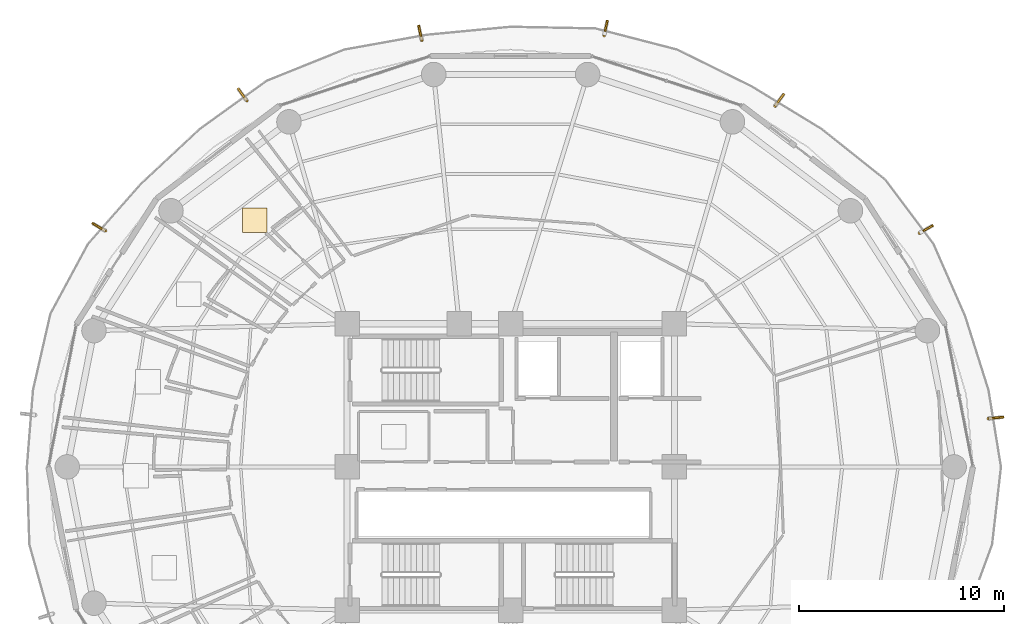
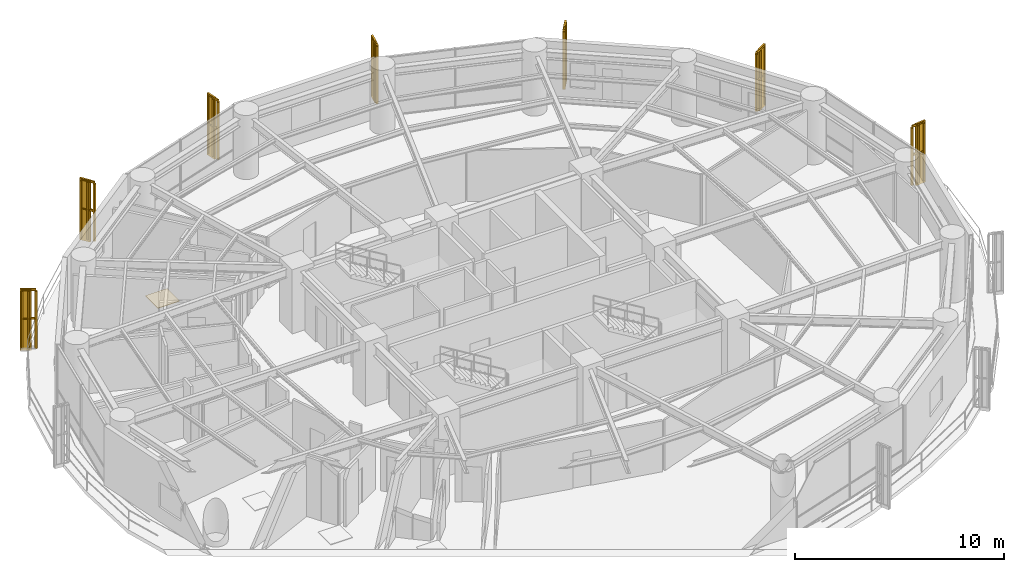
# One storey, part 28 of 28: 7 railings, 7 shading devices, 1 covering.
"""IFC4 building model written with IfcOpenShell, lengths in metres."""

from ifc_helpers import new_model, si_unit, direction, frame, origin, origin_2d, place, context, subcontext, project, spatial, polyline, rectangle, outline, extrude, source, transform, mapped, material, layer, layer_set, type_object, element, save


model = new_model("IFC4")

# Units and contexts
model_context = context("Model", 3, precision=1e-05, world=origin(), true_north=direction((0.0, 1.0)))
body_context = subcontext(model_context, "Body", "Model", "MODEL_VIEW")
ifc_project = project(units=[si_unit("LENGTHUNIT", "METRE"), si_unit("AREAUNIT", "SQUARE_METRE"), si_unit("VOLUMEUNIT", "CUBIC_METRE"), si_unit("PLANEANGLEUNIT", "RADIAN"), si_unit("MASSUNIT", "GRAM", prefix="KILO")], contexts=[model_context])

# Site, building, storey
site_placement = place(None, origin())
site = spatial("IfcSite", under=ifc_project, at=site_placement, CompositionType="ELEMENT")
building_placement = place(site_placement, origin())
building = spatial("IfcBuilding", under=site, at=building_placement, Name="Kelanora Arch Commons", CompositionType="ELEMENT")
storey_placement = place(building_placement, frame((0.0, 0.0, 176.85009765625)))
storey = spatial("IfcBuildingStorey", under=building, at=storey_placement, Name="L45", CompositionType="ELEMENT", Elevation=176.85009765625)

# Railings
ifc_material_1 = material(Name="Anodised bronze vertical shading fin rib assembly")
railing_type = type_object("IfcRailingType", Name="RAIL-FIN-BRZ", PredefinedType="BALUSTRADE", material=ifc_material_1)
railing_1_placement = place(storey_placement, frame((97.359375, 60.36328125, -0.02001953125)))
element("IfcRailing", 1, at=railing_1_placement, inside=storey, type_object=railing_type, Name="Sweeping Bronze Vertical Fin Blade L45-01", PredefinedType="BALUSTRADE", context=body_context, shape_type="SweptSolid", body=[
    extrude(outline(polyline([(0.06982421875, 0.0), (0.034912109375, 0.060546875), (-0.034912109375, 0.060546875), (-0.06982421875, 0.0), (-0.034912109375, -0.060546875), (0.034912109375, -0.060546875), (0.06982421875, 0.0)])), frame((0.0, 0.0, 3.419921875), z_axis=(0.994932804734, 0.100542100951, 0.0), x_axis=(-0.100542100951, 0.994932804734, 0.0)), (0.0, 0.0, 1.0), 0.675048828125),
    extrude(outline(polyline([(0.06982421875, 0.0), (0.034912109375, 0.060546875), (-0.034912109375, 0.060546875), (-0.06982421875, 0.0), (-0.034912109375, -0.060546875), (0.034912109375, -0.060546875), (0.06982421875, 0.0)])), frame((0.0, 0.0, 1.7451171875), z_axis=(0.994932804734, 0.100542100951, 0.0), x_axis=(-0.100542100951, 0.994932804734, 0.0)), (0.0, 0.0, 1.0), 0.675048828125),
    extrude(outline(polyline([(0.080078125, 0.0), (0.0400390625, 0.0693359375), (-0.0400390625, 0.0693359375), (-0.080078125, 0.0), (-0.0400390625, -0.0693359375), (0.0400390625, -0.0693359375), (0.080078125, 0.0)])), origin(), (0.0, 0.0, 1.0), 3.35009765625),
    extrude(outline(polyline([(0.080078125, 0.0), (0.0400390625, 0.0693359375), (-0.0400390625, 0.0693359375), (-0.080078125, 0.0), (-0.0400390625, -0.0693359375), (0.0400390625, -0.0693359375), (0.080078125, 0.0)])), frame((0.3359375, 0.033935546875, 0.0)), (0.0, 0.0, 1.0), 3.35009765625),
    extrude(outline(polyline([(0.080078125, 0.0), (0.0400390625, 0.0693359375), (-0.0400390625, 0.0693359375), (-0.080078125, 0.0), (-0.0400390625, -0.0693359375), (0.0400390625, -0.0693359375), (0.080078125, 0.0)])), frame((0.671630859375, 0.06787109375, 0.0)), (0.0, 0.0, 1.0), 3.35009765625),
])
railing_2_placement = place(storey_placement, frame((93.991455078125, 69.438720703125, -0.02001953125)))
element("IfcRailing", 2, at=railing_2_placement, inside=storey, type_object=railing_type, Name="Sweeping Bronze Vertical Fin Blade L45-02", PredefinedType="BALUSTRADE", context=body_context, shape_type="SweptSolid", body=[
    extrude(outline(polyline([(0.06982421875, 0.0), (0.034912109375, 0.060546875), (-0.034912109375, 0.060546875), (-0.06982421875, 0.0), (-0.034912109375, -0.060546875), (0.034912109375, -0.060546875), (0.06982421875, 0.0)])), frame((0.0, 0.0, 3.419921875), z_axis=(0.868154086697, 0.496294752895, 0.0), x_axis=(-0.496294752895, 0.868154086697, 0.0)), (0.0, 0.0, 1.0), 0.6748046875),
    extrude(outline(polyline([(0.06982421875, 0.0), (0.034912109375, 0.060546875), (-0.034912109375, 0.060546875), (-0.06982421875, 0.0), (-0.034912109375, -0.060546875), (0.034912109375, -0.060546875), (0.06982421875, 0.0)])), frame((0.0, 0.0, 1.7451171875), z_axis=(0.868154086697, 0.496294752895, 0.0), x_axis=(-0.496294752895, 0.868154086697, 0.0)), (0.0, 0.0, 1.0), 0.6748046875),
    extrude(outline(polyline([(0.080078125, 0.0), (0.0400390625, 0.0693359375), (-0.0400390625, 0.0693359375), (-0.080078125, 0.0), (-0.0400390625, -0.0693359375), (0.0400390625, -0.0693359375), (0.080078125, 0.0)])), origin(), (0.0, 0.0, 1.0), 3.35009765625),
    extrude(outline(polyline([(0.080078125, 0.0), (0.0400390625, 0.0693359375), (-0.0400390625, 0.0693359375), (-0.080078125, 0.0), (-0.0400390625, -0.0693359375), (0.0400390625, -0.0693359375), (0.080078125, 0.0)])), frame((0.29296875, 0.16748046875, 0.0)), (0.0, 0.0, 1.0), 3.35009765625),
    extrude(outline(polyline([(0.080078125, 0.0), (0.0400390625, 0.0693359375), (-0.0400390625, 0.0693359375), (-0.080078125, 0.0), (-0.0400390625, -0.0693359375), (0.0400390625, -0.0693359375), (0.080078125, 0.0)])), frame((0.5859375, 0.3349609375, 0.0)), (0.0, 0.0, 1.0), 3.35009765625),
])
railing_3_placement = place(storey_placement, frame((86.92822265625, 75.6494140625, -0.02001953125)))
element("IfcRailing", 3, at=railing_3_placement, inside=storey, type_object=railing_type, Name="Sweeping Bronze Vertical Fin Blade L45-03", PredefinedType="BALUSTRADE", context=body_context, shape_type="SweptSolid", body=[
    extrude(outline(polyline([(0.06982421875, 0.0), (0.034912109375, 0.060546875), (-0.034912109375, 0.060546875), (-0.06982421875, 0.0), (-0.034912109375, -0.060546875), (0.034912109375, -0.060546875), (0.06982421875, 0.0)])), frame((0.0, 0.0, 3.419921875), z_axis=(0.590877571861, 0.806761237958, 0.0), x_axis=(-0.806761237958, 0.590877571861, 0.0)), (0.0, 0.0, 1.0), 0.675048828125),
    extrude(outline(polyline([(0.06982421875, 0.0), (0.034912109375, 0.060546875), (-0.034912109375, 0.060546875), (-0.06982421875, 0.0), (-0.034912109375, -0.060546875), (0.034912109375, -0.060546875), (0.06982421875, 0.0)])), frame((0.0, 0.0, 1.7451171875), z_axis=(0.590877571861, 0.806761237958, 0.0), x_axis=(-0.806761237958, 0.590877571861, 0.0)), (0.0, 0.0, 1.0), 0.675048828125),
    extrude(outline(polyline([(0.080078125, 0.0), (0.0400390625, 0.0693359375), (-0.0400390625, 0.0693359375), (-0.080078125, 0.0), (-0.0400390625, -0.0693359375), (0.0400390625, -0.0693359375), (0.080078125, 0.0)])), origin(), (0.0, 0.0, 1.0), 3.35009765625),
    extrude(outline(polyline([(0.080078125, 0.0), (0.0400390625, 0.0693359375), (-0.0400390625, 0.0693359375), (-0.080078125, 0.0), (-0.0400390625, -0.0693359375), (0.0400390625, -0.0693359375), (0.080078125, 0.0)])), frame((0.199462890625, 0.2724609375, 0.0)), (0.0, 0.0, 1.0), 3.35009765625),
    extrude(outline(polyline([(0.080078125, 0.0), (0.0400390625, 0.0693359375), (-0.0400390625, 0.0693359375), (-0.080078125, 0.0), (-0.0400390625, -0.0693359375), (0.0400390625, -0.0693359375), (0.080078125, 0.0)])), frame((0.39892578125, 0.544677734375, 0.0)), (0.0, 0.0, 1.0), 3.35009765625),
])
railing_4_placement = place(storey_placement, frame((78.57080078125, 79.099853515625, -0.02001953125)))
element("IfcRailing", 4, at=railing_4_placement, inside=storey, type_object=railing_type, Name="Sweeping Bronze Vertical Fin Blade L45-04", PredefinedType="BALUSTRADE", context=body_context, shape_type="SweptSolid", body=[
    extrude(outline(polyline([(0.06982421875, 0.0), (0.034912109375, 0.060546875), (-0.034912109375, 0.060546875), (-0.06982421875, 0.0), (-0.034912109375, -0.060546875), (0.034912109375, -0.060546875), (0.06982421875, 0.0)])), frame((0.0, 0.0, 3.419921875), z_axis=(0.211603629386, 0.977355566839, 0.0), x_axis=(-0.977355566839, 0.211603629386, 0.0)), (0.0, 0.0, 1.0), 0.675048828125),
    extrude(outline(polyline([(0.06982421875, 0.0), (0.034912109375, 0.060546875), (-0.034912109375, 0.060546875), (-0.06982421875, 0.0), (-0.034912109375, -0.060546875), (0.034912109375, -0.060546875), (0.06982421875, 0.0)])), frame((0.0, 0.0, 1.7451171875), z_axis=(0.211603629386, 0.977355566839, 0.0), x_axis=(-0.977355566839, 0.211603629386, 0.0)), (0.0, 0.0, 1.0), 0.675048828125),
    extrude(outline(polyline([(0.080078125, 0.0), (0.0400390625, 0.0693359375), (-0.0400390625, 0.0693359375), (-0.080078125, 0.0), (-0.0400390625, -0.0693359375), (0.0400390625, -0.0693359375), (0.080078125, 0.0)])), origin(), (0.0, 0.0, 1.0), 3.35009765625),
    extrude(outline(polyline([(0.080078125, 0.0), (0.0400390625, 0.0693359375), (-0.0400390625, 0.0693359375), (-0.080078125, 0.0), (-0.0400390625, -0.0693359375), (0.0400390625, -0.0693359375), (0.080078125, 0.0)])), frame((0.0712890625, 0.329833984375, 0.0)), (0.0, 0.0, 1.0), 3.35009765625),
    extrude(outline(polyline([(0.080078125, 0.0), (0.0400390625, 0.0693359375), (-0.0400390625, 0.0693359375), (-0.080078125, 0.0), (-0.0400390625, -0.0693359375), (0.0400390625, -0.0693359375), (0.080078125, 0.0)])), frame((0.142822265625, 0.65966796875, 0.0)), (0.0, 0.0, 1.0), 3.35009765625),
])
railing_5_placement = place(storey_placement, frame((69.650634765625, 78.86083984375, -0.02001953125)))
element("IfcRailing", 5, at=railing_5_placement, inside=storey, type_object=railing_type, Name="Sweeping Bronze Vertical Fin Blade L45-05", PredefinedType="BALUSTRADE", context=body_context, shape_type="SweptSolid", body=[
    extrude(outline(polyline([(0.06982421875, 0.0), (0.034912109375, 0.060546875), (-0.034912109375, 0.060546875), (-0.06982421875, 0.0), (-0.034912109375, -0.060546875), (0.034912109375, -0.060546875), (0.06982421875, 0.0)])), frame((0.0, 0.0, 3.419921875), z_axis=(-0.203968695885, 0.978977410924, 0.0), x_axis=(-0.978977410924, -0.203968695885, 0.0)), (0.0, 0.0, 1.0), 0.675048828125),
    extrude(outline(polyline([(0.06982421875, 0.0), (0.034912109375, 0.060546875), (-0.034912109375, 0.060546875), (-0.06982421875, 0.0), (-0.034912109375, -0.060546875), (0.034912109375, -0.060546875), (0.06982421875, 0.0)])), frame((0.0, 0.0, 1.7451171875), z_axis=(-0.203968695885, 0.978977410924, 0.0), x_axis=(-0.978977410924, -0.203968695885, 0.0)), (0.0, 0.0, 1.0), 0.675048828125),
    extrude(outline(polyline([(0.080078125, 0.0), (0.0400390625, 0.0693359375), (-0.0400390625, 0.0693359375), (-0.080078125, 0.0), (-0.0400390625, -0.0693359375), (0.0400390625, -0.0693359375), (0.080078125, 0.0)])), origin(), (0.0, 0.0, 1.0), 3.35009765625),
    extrude(outline(polyline([(0.080078125, 0.0), (0.0400390625, 0.0693359375), (-0.0400390625, 0.0693359375), (-0.080078125, 0.0), (-0.0400390625, -0.0693359375), (0.0400390625, -0.0693359375), (0.080078125, 0.0)])), frame((-0.06884765625, 0.33056640625, 0.0)), (0.0, 0.0, 1.0), 3.35009765625),
    extrude(outline(polyline([(0.080078125, 0.0), (0.0400390625, 0.0693359375), (-0.0400390625, 0.0693359375), (-0.080078125, 0.0), (-0.0400390625, -0.0693359375), (0.0400390625, -0.0693359375), (0.080078125, 0.0)])), frame((-0.1376953125, 0.660888671875, 0.0)), (0.0, 0.0, 1.0), 3.35009765625),
])
railing_6_placement = place(storey_placement, frame((61.0966796875, 75.90576171875, -0.02001953125)))
element("IfcRailing", 6, at=railing_6_placement, inside=storey, type_object=railing_type, Name="Sweeping Bronze Vertical Fin Blade L45-06", PredefinedType="BALUSTRADE", context=body_context, shape_type="SweptSolid", body=[
    extrude(outline(polyline([(0.06982421875, 0.0), (0.034912109375, 0.060546875), (-0.034912109375, 0.060546875), (-0.06982421875, 0.0), (-0.034912109375, -0.060546875), (0.034912109375, -0.060546875), (0.06982421875, 0.0)])), frame((0.0, 0.0, 3.419921875), z_axis=(-0.584552457523, 0.811355917218, 0.0), x_axis=(-0.811355917218, -0.584552457523, 0.0)), (0.0, 0.0, 1.0), 0.675048828125),
    extrude(outline(polyline([(0.06982421875, 0.0), (0.034912109375, 0.060546875), (-0.034912109375, 0.060546875), (-0.06982421875, 0.0), (-0.034912109375, -0.060546875), (0.034912109375, -0.060546875), (0.06982421875, 0.0)])), frame((0.0, 0.0, 1.7451171875), z_axis=(-0.584552457523, 0.811355917218, 0.0), x_axis=(-0.811355917218, -0.584552457523, 0.0)), (0.0, 0.0, 1.0), 0.675048828125),
    extrude(outline(polyline([(0.080078125, 0.0), (0.0400390625, 0.0693359375), (-0.0400390625, 0.0693359375), (-0.080078125, 0.0), (-0.0400390625, -0.0693359375), (0.0400390625, -0.0693359375), (0.080078125, 0.0)])), origin(), (0.0, 0.0, 1.0), 3.35009765625),
    extrude(outline(polyline([(0.080078125, 0.0), (0.0400390625, 0.0693359375), (-0.0400390625, 0.0693359375), (-0.080078125, 0.0), (-0.0400390625, -0.0693359375), (0.0400390625, -0.0693359375), (0.080078125, 0.0)])), frame((-0.197265625, 0.27392578125, 0.0)), (0.0, 0.0, 1.0), 3.35009765625),
    extrude(outline(polyline([(0.080078125, 0.0), (0.0400390625, 0.0693359375), (-0.0400390625, 0.0693359375), (-0.080078125, 0.0), (-0.0400390625, -0.0693359375), (0.0400390625, -0.0693359375), (0.080078125, 0.0)])), frame((-0.39453125, 0.547607421875, 0.0)), (0.0, 0.0, 1.0), 3.35009765625),
])
railing_7_placement = place(storey_placement, frame((54.185791015625, 69.542724609375, -0.02001953125)))
element("IfcRailing", 7, at=railing_7_placement, inside=storey, type_object=railing_type, Name="Sweeping Bronze Vertical Fin Blade L45-07", PredefinedType="BALUSTRADE", context=body_context, shape_type="SweptSolid", body=[
    extrude(outline(polyline([(0.06982421875, 0.0), (0.034912109375, 0.060546875), (-0.034912109375, 0.060546875), (-0.06982421875, 0.0), (-0.034912109375, -0.060546875), (0.034912109375, -0.060546875), (0.06982421875, 0.0)])), frame((0.0, 0.0, 3.419921875), z_axis=(-0.86393631841, 0.503601070028, 0.0), x_axis=(-0.503601070028, -0.86393631841, 0.0)), (0.0, 0.0, 1.0), 0.6748046875),
    extrude(outline(polyline([(0.06982421875, 0.0), (0.034912109375, 0.060546875), (-0.034912109375, 0.060546875), (-0.06982421875, 0.0), (-0.034912109375, -0.060546875), (0.034912109375, -0.060546875), (0.06982421875, 0.0)])), frame((0.0, 0.0, 1.7451171875), z_axis=(-0.86393631841, 0.503601070028, 0.0), x_axis=(-0.503601070028, -0.86393631841, 0.0)), (0.0, 0.0, 1.0), 0.6748046875),
    extrude(outline(polyline([(0.080078125, 0.0), (0.0400390625, 0.0693359375), (-0.0400390625, 0.0693359375), (-0.080078125, 0.0), (-0.0400390625, -0.0693359375), (0.0400390625, -0.0693359375), (0.080078125, 0.0)])), origin(), (0.0, 0.0, 1.0), 3.35009765625),
    extrude(outline(polyline([(0.080078125, 0.0), (0.0400390625, 0.0693359375), (-0.0400390625, 0.0693359375), (-0.080078125, 0.0), (-0.0400390625, -0.0693359375), (0.0400390625, -0.0693359375), (0.080078125, 0.0)])), frame((-0.29150390625, 0.169921875, 0.0)), (0.0, 0.0, 1.0), 3.35009765625),
    extrude(outline(polyline([(0.080078125, 0.0), (0.0400390625, 0.0693359375), (-0.0400390625, 0.0693359375), (-0.080078125, 0.0), (-0.0400390625, -0.0693359375), (0.0400390625, -0.0693359375), (0.080078125, 0.0)])), frame((-0.5830078125, 0.33984375, 0.0)), (0.0, 0.0, 1.0), 3.35009765625),
])

# Shading devices
ifc_material_2 = material(Name="Terracotta ceramic-clad extruded aluminium fin", Category="masonry")
shading_device_type = type_object("IfcShadingDeviceType", Name="SHD-FIN-WAIST", PredefinedType="USERDEFINED", material=ifc_material_2)
shared_shape_1 = source(origin(), body_context, "Body", "SweptSolid", [
    extrude(rectangle(XDim=0.56005859375, YDim=0.090087890625, at=origin_2d()), origin(), (0.0, 0.0, 1.0), 3.610107421875),
])
for number, where, z_axis, x_axis, name in (
    (8, (97.83447265625, 60.411376953125, -0.14013671875), (0.0, 0.0, 1.0), (0.994915923519, 0.100709012153, 0.0), "Sweeping Terracotta Fin L45-01"),
    (9, (94.406005859375, 69.67578125, -0.14013671875), (0.0, 0.0, 1.0), (0.867938877136, 0.49667102347, 0.0), "Sweeping Terracotta Fin L45-02"),
    (10, (87.21044921875, 76.03466796875, -0.14013671875), (0.0, 0.0, 1.0), (0.59088731392, 0.806754102716, 0.0), "Sweeping Terracotta Fin L45-03"),
    (11, (78.671875, 79.56640625, -0.14013671875), (0.0, 0.0, 1.0), (0.211665966084, 0.97734206847, 0.0), "Sweeping Terracotta Fin L45-04"),
    (12, (69.55322265625, 79.328369140625, -0.14013671875), (0.0, 0.0, 1.0), (-0.204154350213, 0.978938711712, 0.0), "Sweeping Terracotta Fin L45-05"),
    (13, (60.817626953125, 76.293212890625, -0.14013671875), (0.0, 0.0, 1.0), (-0.584674524674, 0.811267958321, 0.0), "Sweeping Terracotta Fin L45-06"),
    (14, (53.773193359375, 69.783203125, -0.14013671875), (0.0, 0.0, 1.0), (-0.864099162217, 0.503321604797, 0.0), "Sweeping Terracotta Fin L45-07"),
):
    element("IfcShadingDevice", number, at=place(storey_placement, frame(where, z_axis=z_axis, x_axis=x_axis)), inside=storey, type_object=shading_device_type, Name=name, ObjectType="FIN", PredefinedType="USERDEFINED", context=body_context, shape_type="MappedRepresentation", body=[
        mapped(shared_shape_1, transform((0.0, 0.0, 0.0), scale=1.0)),
    ])

# Covering
ifc_material_3 = material(Name="Polished local granite terrazzo flooring", Category="masonry")
ifc_layer = layer(ifc_material_3, 0.030029296875)
ifc_layer_set = layer_set([ifc_layer], Name="Polished local granite terrazzo flooring")
covering_type = type_object("IfcCoveringType", Name="COV-FLR-TER", PredefinedType="FLOORING", material=ifc_layer_set)
shared_shape_2 = source(origin(), body_context, "Body", "SweptSolid", [
    extrude(rectangle(XDim=1.199951171875, YDim=1.199951171875, at=origin_2d()), origin(), (0.0, 0.0, 1.0), 0.030029296875),
])
covering_placement = place(storey_placement, frame((61.488037109375, 70.04833984375, 0.0), z_axis=(0.0, 0.0, 1.0), x_axis=(1.0, 0.0, 0.0)))
element("IfcCovering", 15, at=covering_placement, inside=storey, type_object=covering_type, Name="Cluster Bedroom L45-01 Terrazzo Finish", PredefinedType="FLOORING", context=body_context, shape_type="MappedRepresentation", body=[
    mapped(shared_shape_2, transform((0.0, 0.0, 0.0), scale=1.0)),
])

save(model, "model.ifc")
